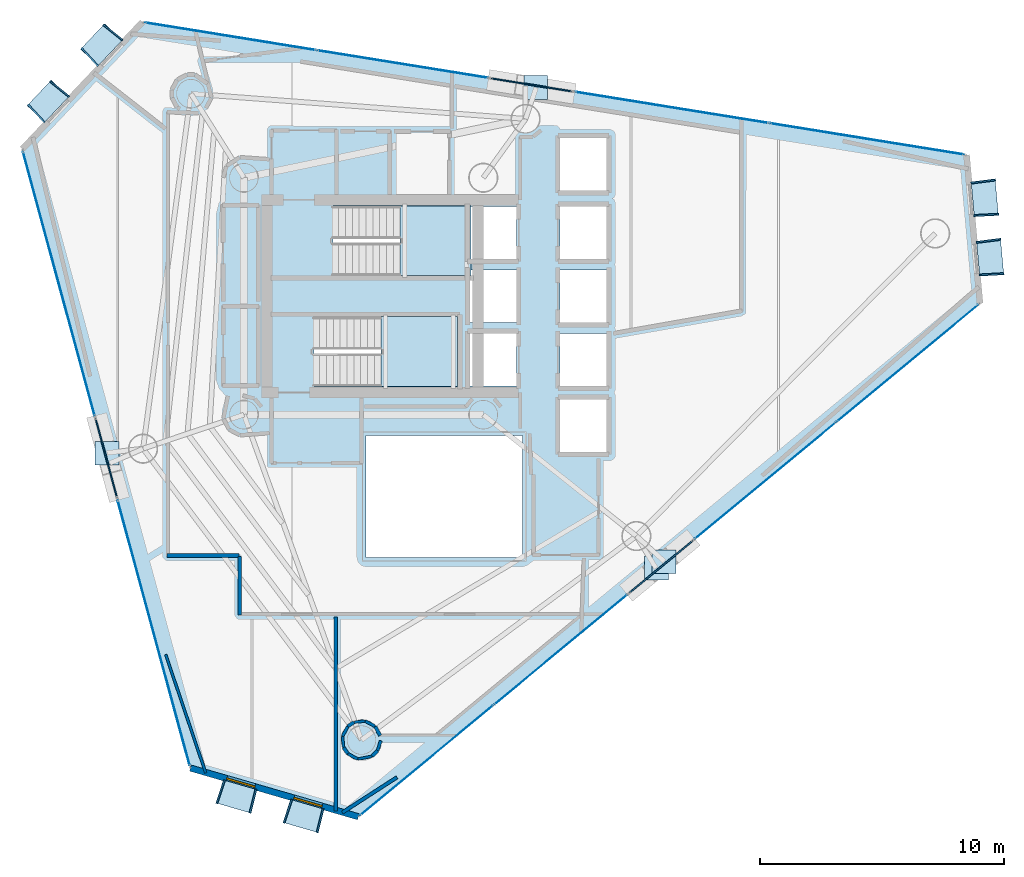
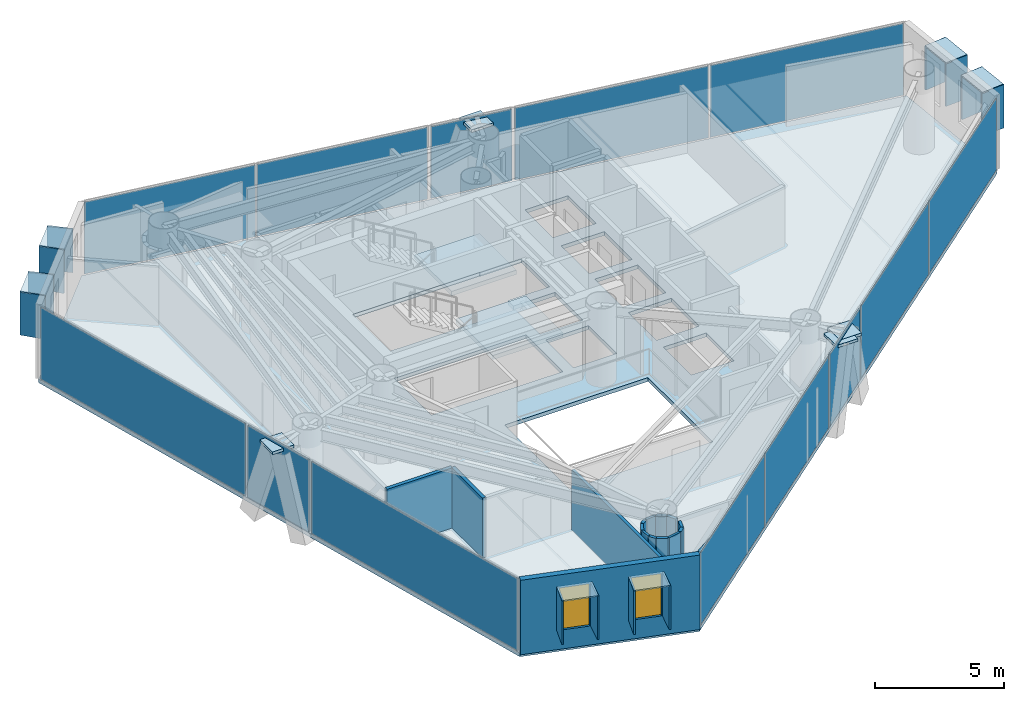
# One storey, part 15 of 21: 35 plates, 17 walls, 3 slabs, 2 windows, 2 openings, 11 elements without a shape of their own.
"""IFC4 building model written with IfcOpenShell, lengths in metres."""

from ifc_helpers import new_model, si_unit, direction, frame, frame_2d, origin, origin_2d, place, context, subcontext, project, spatial, polyline, rectangle, outline, extrude, material, layer, layer_set, type_object, element, fill, aggregate, save


model = new_model("IFC4")

# Units and contexts
model_context = context("Model", 3, precision=1e-05, world=origin(), true_north=direction((0.0, 1.0)))
body_context = subcontext(model_context, "Body", "Model", "MODEL_VIEW")
ifc_project = project(units=[si_unit("LENGTHUNIT", "METRE"), si_unit("AREAUNIT", "SQUARE_METRE"), si_unit("VOLUMEUNIT", "CUBIC_METRE"), si_unit("PLANEANGLEUNIT", "RADIAN"), si_unit("MASSUNIT", "GRAM", prefix="KILO")], contexts=[model_context])

# Site, building, storey
site_placement = place(None, origin())
site = spatial("IfcSite", under=ifc_project, at=site_placement, CompositionType="ELEMENT")
building_placement = place(site_placement, origin())
building = spatial("IfcBuilding", under=site, at=building_placement, Name="Qianvela Tower", CompositionType="ELEMENT")
storey_placement = place(building_placement, frame((0.0, 0.0, 211.39990234375)))
storey = spatial("IfcBuildingStorey", under=building, at=storey_placement, Name="L54", CompositionType="ELEMENT", Elevation=211.39990234375)

# Curtain wall, plate
ifc_material_1 = material(Name="Anodised Architectural Aluminium and Insulated Spandrel Panel", Category="aluminium")
ifc_layer_1 = layer(ifc_material_1, 0.179931640625)
ifc_layer_set_1 = layer_set([ifc_layer_1], Name="Anodised Architectural Aluminium and Insulated Spandrel Panel")
curtain_wall_type_1 = type_object("IfcCurtainWallType", Name="CW-BRACEBAY", PredefinedType="USERDEFINED", material=ifc_layer_set_1)
curtain_wall_1_placement = place(storey_placement, origin())
curtain_wall_1 = element("IfcCurtainWall", 1, at=curtain_wall_1_placement, inside=storey, type_object=curtain_wall_type_1, Name="L54 CW-BRACEBAY Curtain Wall 02B", ObjectType="CURTAIN_WALL_SYSTEM", PredefinedType="USERDEFINED")
ifc_material_2 = material(Name="Insulated Aluminium Spandrel Panel with Mineral-Wool Backpan", Category="aluminium")
ifc_layer_2 = layer(ifc_material_2, 0.06005859375)
ifc_layer_set_2 = layer_set([ifc_layer_2], Name="Insulated Aluminium Spandrel Panel with Mineral-Wool Backpan")
plate_type_1 = type_object("IfcPlateType", Name="CW-BRACEBAY-PNL", PredefinedType="CURTAIN_PANEL", material=ifc_layer_set_2)
plate_1_placement = place(storey_placement, frame((40.378173828125, 37.35107421875, 0.06494140625), z_axis=(0.0, 0.0, 1.0), x_axis=(-0.987265735176, 0.159079754044, 0.0)))
plate_1 = element("IfcPlate", 2, at=plate_1_placement, type_object=plate_type_1, Name="CW-9 panel 1.1", PredefinedType="CURTAIN_PANEL", context=body_context, shape_type="SweptSolid", body=[
    extrude(rectangle(XDim=3.35009765625, YDim=0.06005859375, at=origin_2d()), origin(), (0.0, 0.0, 1.0), 3.389892578125),
])
aggregate(curtain_wall_1, [plate_1])

curtain_wall_2_placement = place(storey_placement, origin())
curtain_wall_2 = element("IfcCurtainWall", 3, at=curtain_wall_2_placement, inside=storey, type_object=curtain_wall_type_1, Name="L54 CW-BRACEBAY Curtain Wall 04B", ObjectType="CURTAIN_WALL_SYSTEM", PredefinedType="USERDEFINED")
plate_2_placement = place(storey_placement, frame((22.96484375, 22.07470703125, 0.06494140625), z_axis=(0.0, 0.0, 1.0), x_axis=(0.262190658997, -0.965016092267, 0.0)))
plate_2 = element("IfcPlate", 4, at=plate_2_placement, type_object=plate_type_1, Name="CW-9 panel 1.1", PredefinedType="CURTAIN_PANEL", context=body_context, shape_type="SweptSolid", body=[
    extrude(rectangle(XDim=3.340087890625, YDim=0.06005859375, at=origin_2d()), origin(), (0.0, 0.0, 1.0), 3.389892578125),
])
aggregate(curtain_wall_2, [plate_2])

curtain_wall_3_placement = place(storey_placement, origin())
curtain_wall_3 = element("IfcCurtainWall", 5, at=curtain_wall_3_placement, inside=storey, type_object=curtain_wall_type_1, Name="L54 CW-BRACEBAY Curtain Wall 06B", ObjectType="CURTAIN_WALL_SYSTEM", PredefinedType="USERDEFINED")
plate_3_placement = place(storey_placement, frame((45.674072265625, 17.622802734375, 0.06494140625), z_axis=(0.0, 0.0, 1.0), x_axis=(0.771026160005, 0.63680347093, 0.0)))
plate_3 = element("IfcPlate", 6, at=plate_3_placement, type_object=plate_type_1, Name="CW-9 panel 1.1", PredefinedType="CURTAIN_PANEL", context=body_context, shape_type="SweptSolid", body=[
    extrude(rectangle(XDim=3.35009765625, YDim=0.06005859375, at=origin_2d()), origin(), (0.0, 0.0, 1.0), 3.389892578125),
])
aggregate(curtain_wall_3, [plate_3])

# Curtain wall, plates
ifc_material_3 = material(Name="Anodised Architectural Aluminium and Low-E Glass", Category="aluminium")
ifc_layer_3 = layer(ifc_material_3, 0.159912109375)
ifc_layer_set_3 = layer_set([ifc_layer_3], Name="Anodised Architectural Aluminium and Low-E Glass")
curtain_wall_type_2 = type_object("IfcCurtainWallType", Name="CW-COLIV-Z56", PredefinedType="USERDEFINED", material=ifc_layer_set_3)
curtain_wall_4_placement = place(storey_placement, origin())
curtain_wall_4 = element("IfcCurtainWall", 7, at=curtain_wall_4_placement, inside=storey, type_object=curtain_wall_type_2, Name="L54 CW-COLIV-Z56 Curtain Wall 02A", ObjectType="CURTAIN_WALL_SYSTEM", PredefinedType="USERDEFINED")
ifc_material_4 = material(Name="Double-Silver Low-E Insulated Glass", Category="glass")
ifc_layer_4 = layer(ifc_material_4, 0.028076171875)
ifc_layer_set_4 = layer_set([ifc_layer_4], Name="Double-Silver Low-E Insulated Glass")
plate_type_2 = type_object("IfcPlateType", Name="CW-COLIV-Z56-PNL", PredefinedType="CURTAIN_PANEL", material=ifc_layer_set_4)
plate_4_placement = place(storey_placement, frame((54.10498046875, 35.139404296875, 0.06005859375), z_axis=(0.0, 0.0, 1.0), x_axis=(-0.98726724305, 0.159070395739, 0.0)))
plate_4 = element("IfcPlate", 8, at=plate_4_placement, type_object=plate_type_2, Name="CW-5 panel 1.1", PredefinedType="CURTAIN_PANEL", context=body_context, shape_type="SweptSolid", body=[
    extrude(rectangle(XDim=8.0224609375, YDim=0.028076171875, at=origin_2d()), origin(), (0.0, 0.0, 1.0), 3.39990234375),
])
plate_5_placement = place(storey_placement, frame((46.120361328125, 36.42578125, 0.06005859375), z_axis=(0.0, 0.0, 1.0), x_axis=(-0.98726724305, 0.159070395739, 0.0)))
plate_5 = element("IfcPlate", 9, at=plate_5_placement, type_object=plate_type_2, Name="CW-5 panel 2.1", PredefinedType="CURTAIN_PANEL", context=body_context, shape_type="SweptSolid", body=[
    extrude(rectangle(XDim=8.0224609375, YDim=0.028076171875, at=origin_2d()), origin(), (0.0, 0.0, 1.0), 3.39990234375),
])
aggregate(curtain_wall_4, [plate_4, plate_5])

curtain_wall_5_placement = place(storey_placement, origin())
curtain_wall_5 = element("IfcCurtainWall", 10, at=curtain_wall_5_placement, inside=storey, type_object=curtain_wall_type_2, Name="L54 CW-COLIV-Z56 Curtain Wall 02C", ObjectType="CURTAIN_WALL_SYSTEM", PredefinedType="USERDEFINED")
plate_6_placement = place(storey_placement, frame((35.10302734375, 38.200927734375, 0.06005859375), z_axis=(0.0, 0.0, 1.0), x_axis=(-0.987267684825, 0.159067653846, 0.0)))
plate_6 = element("IfcPlate", 11, at=plate_6_placement, type_object=plate_type_2, Name="CW-5 panel 1.1", PredefinedType="CURTAIN_PANEL", context=body_context, shape_type="SweptSolid", body=[
    extrude(rectangle(XDim=7.076416015625, YDim=0.028076171875, at=origin_2d()), origin(), (0.0, 0.0, 1.0), 3.39990234375),
])
plate_7_placement = place(storey_placement, frame((28.052490234375, 39.3369140625, 0.06005859375), z_axis=(0.0, 0.0, 1.0), x_axis=(-0.987267684825, 0.159067653846, 0.0)))
plate_7 = element("IfcPlate", 12, at=plate_7_placement, type_object=plate_type_2, Name="CW-5 panel 2.1", PredefinedType="CURTAIN_PANEL", context=body_context, shape_type="SweptSolid", body=[
    extrude(rectangle(XDim=7.076416015625, YDim=0.028076171875, at=origin_2d()), origin(), (0.0, 0.0, 1.0), 3.39990234375),
])
aggregate(curtain_wall_5, [plate_6, plate_7])

# Curtain wall, plate
curtain_wall_6_placement = place(storey_placement, origin())
curtain_wall_6 = element("IfcCurtainWall", 13, at=curtain_wall_6_placement, inside=storey, type_object=curtain_wall_type_2, Name="L54 CW-COLIV-Z56 Curtain Wall 04A", ObjectType="CURTAIN_WALL_SYSTEM", PredefinedType="USERDEFINED")
plate_8_placement = place(storey_placement, frame((21.02587890625, 29.2109375, 0.06005859375), z_axis=(0.0, 0.0, 1.0), x_axis=(0.262192638655, -0.965015554401, 0.0)))
plate_8 = element("IfcPlate", 14, at=plate_8_placement, type_object=plate_type_2, Name="CW-5 panel 1.1", PredefinedType="CURTAIN_PANEL", context=body_context, shape_type="SweptSolid", body=[
    extrude(rectangle(XDim=11.18994140625, YDim=0.028076171875, at=origin_2d()), origin(), (0.0, 0.0, 1.0), 3.39990234375),
])
aggregate(curtain_wall_6, [plate_8])

curtain_wall_7_placement = place(storey_placement, origin())
curtain_wall_7 = element("IfcCurtainWall", 15, at=curtain_wall_7_placement, inside=storey, type_object=curtain_wall_type_2, Name="L54 CW-COLIV-Z56 Curtain Wall 04C", ObjectType="CURTAIN_WALL_SYSTEM", PredefinedType="USERDEFINED")
plate_9_placement = place(storey_placement, frame((24.90966796875, 14.916259765625, 0.06005859375), z_axis=(0.0, 0.0, 1.0), x_axis=(0.26219189761, -0.965015755741, 0.0)))
plate_9 = element("IfcPlate", 16, at=plate_9_placement, type_object=plate_type_2, Name="CW-5 panel 1.1", PredefinedType="CURTAIN_PANEL", context=body_context, shape_type="SweptSolid", body=[
    extrude(rectangle(XDim=11.23583984375, YDim=0.028076171875, at=origin_2d()), origin(), (0.0, 0.0, 1.0), 3.39990234375),
])
aggregate(curtain_wall_7, [plate_9])

# Curtain wall, plates
curtain_wall_8_placement = place(storey_placement, origin())
curtain_wall_8 = element("IfcCurtainWall", 17, at=curtain_wall_8_placement, inside=storey, type_object=curtain_wall_type_2, Name="L54 CW-COLIV-Z56 Curtain Wall 06A", ObjectType="CURTAIN_WALL_SYSTEM", PredefinedType="USERDEFINED")
plate_10_placement = place(storey_placement, frame((36.087158203125, 9.705078125, 0.06005859375), z_axis=(0.0, 0.0, 1.0), x_axis=(0.771032758689, 0.636795481319, 0.0)))
plate_10 = element("IfcPlate", 18, at=plate_10_placement, type_object=plate_type_2, Name="CW-5 panel 1.1", PredefinedType="CURTAIN_PANEL", context=body_context, shape_type="SweptSolid", body=[
    extrude(rectangle(XDim=7.04248046875, YDim=0.028076171875, at=origin_2d()), origin(), (0.0, 0.0, 1.0), 3.39990234375),
])
plate_11_placement = place(storey_placement, frame((41.5673828125, 14.23095703125, 0.06005859375), z_axis=(0.0, 0.0, 1.0), x_axis=(0.771032758689, 0.636795481319, 0.0)))
plate_11 = element("IfcPlate", 19, at=plate_11_placement, type_object=plate_type_2, Name="CW-5 panel 2.1", PredefinedType="CURTAIN_PANEL", context=body_context, shape_type="SweptSolid", body=[
    extrude(rectangle(XDim=7.04248046875, YDim=0.028076171875, at=origin_2d()), origin(), (0.0, 0.0, 1.0), 3.39990234375),
])
aggregate(curtain_wall_8, [plate_10, plate_11])

curtain_wall_9_placement = place(storey_placement, origin())
curtain_wall_9 = element("IfcCurtainWall", 20, at=curtain_wall_9_placement, inside=storey, type_object=curtain_wall_type_2, Name="L54 CW-COLIV-Z56 Curtain Wall 06C", ObjectType="CURTAIN_WALL_SYSTEM", PredefinedType="USERDEFINED")
plate_12_placement = place(storey_placement, frame((49.947021484375, 21.15185546875, 0.06005859375), z_axis=(0.0, 0.0, 1.0), x_axis=(0.771034636493, 0.636793207665, 0.0)))
plate_12 = element("IfcPlate", 21, at=plate_12_placement, type_object=plate_type_2, Name="CW-5 panel 1.1", PredefinedType="CURTAIN_PANEL", context=body_context, shape_type="SweptSolid", body=[
    extrude(rectangle(XDim=7.4736328125, YDim=0.028076171875, at=origin_2d()), origin(), (0.0, 0.0, 1.0), 3.39990234375),
])
plate_13_placement = place(storey_placement, frame((55.75927734375, 25.9521484375, 0.06005859375), z_axis=(0.0, 0.0, 1.0), x_axis=(0.771034636493, 0.636793207665, 0.0)))
plate_13 = element("IfcPlate", 22, at=plate_13_placement, type_object=plate_type_2, Name="CW-5 panel 2.1", PredefinedType="CURTAIN_PANEL", context=body_context, shape_type="SweptSolid", body=[
    extrude(rectangle(XDim=7.4736328125, YDim=0.028076171875, at=origin_2d()), origin(), (0.0, 0.0, 1.0), 3.39990234375),
])
aggregate(curtain_wall_9, [plate_12, plate_13])

# Plates
ifc_material_5 = material(Name="Steel Q420GJC", Category="steel")
ifc_layer_5 = layer(ifc_material_5, 0.1298828125)
ifc_layer_set_5 = layer_set([ifc_layer_5], Name="Steel Q420GJC")
plate_type_3 = type_object("IfcPlateType", Name="PT-ENDCAP-130", PredefinedType="USERDEFINED", material=ifc_layer_set_5)
for number, where, z_axis, x_axis, name in (
    (23, (40.542236328125, 37.243408203125, 3.210205078125), (0.0, 0.0, 1.0), (1.0, 0.0, 0.0), "L54 Hollow Section End Cap Plate B"),
    (24, (22.9951171875, 22.267578125, 3.210205078125), (0.0, 0.0, 1.0), (1.0, 0.0, 0.0), "L54 Hollow Section End Cap Plate B"),
    (25, (45.48779296875, 17.57275390625, 3.210205078125), (0.0, 0.0, 1.0), (1.0, 0.0, 0.0), "L54 Hollow Section End Cap Plate B"),
    (26, (45.799072265625, 17.829833984375, 3.21044921875), (0.0, 0.0, 1.0), (1.0, 0.0, 0.0), "L54 Hollow Section End Cap Plate B"),
):
    element("IfcPlate", number, at=place(storey_placement, frame(where, z_axis=z_axis, x_axis=x_axis)), inside=storey, type_object=plate_type_3, Name=name, ObjectType="END_CAP", PredefinedType="USERDEFINED", context=body_context, shape_type="SweptSolid", body=[
        extrude(rectangle(XDim=0.969970703125, YDim=0.969970703125, at=origin_2d()), origin(), (0.0, 0.0, 1.0), 0.1298828125),
    ])

# Slab
ifc_material_6 = material(Name="Concrete C40", Category="concrete")
ifc_layer_6 = layer(ifc_material_6, 0.179931640625)
ifc_layer_set_6 = layer_set([ifc_layer_6], Name="Concrete C40")
slab_type_1 = type_object("IfcSlabType", Name="SL-FLOOR-180", PredefinedType="FLOOR", material=ifc_layer_set_6)
slab_1_placement = place(storey_placement, frame((0.0, 0.0, -0.179931640625)))
element("IfcSlab", 27, at=slab_1_placement, inside=storey, type_object=slab_type_1, Name="L54 Composite Structural Floor Slab", PredefinedType="FLOOR", context=body_context, shape_type="SweptSolid", body=[
    extrude(outline(polyline([(58.729248046875, 28.405029296875), (58.1787109375, 34.48291015625), (24.44580078125, 39.918212890625), (19.52880859375, 34.72119140625), (26.412841796875, 9.3837890625), (33.283447265625, 7.389404296875), (58.729248046875, 28.405029296875)]), holes=[polyline([(40.0, 23.0), (33.60009765625, 23.0), (33.60009765625, 18.0), (40.0, 18.0), (40.0, 23.0)]), polyline([(39.760009765625, 27.179931640625), (37.840087890625, 27.179931640625), (37.840087890625, 25.02001953125), (39.760009765625, 25.02001953125), (39.760009765625, 27.179931640625)]), polyline([(37.35009765625, 27.860107421875), (31.469970703125, 27.860107421875), (31.469970703125, 25.0), (37.35009765625, 25.0), (37.35009765625, 27.860107421875)]), polyline([(37.840087890625, 27.6201171875), (39.760009765625, 27.6201171875), (39.760009765625, 29.780029296875), (37.89990234375, 29.780029296875), (37.89990234375, 30.219970703125), (39.760009765625, 30.219970703125), (39.760009765625, 32.3798828125), (37.89990234375, 32.3798828125), (37.89990234375, 32.39990234375), (32.25, 32.39990234375), (32.25, 29.5400390625), (37.840087890625, 29.5400390625), (37.840087890625, 27.6201171875)]), polyline([(43.4599609375, 22.320068359375), (43.4599609375, 24.47998046875), (41.5400390625, 24.47998046875), (41.5400390625, 22.320068359375), (43.4599609375, 22.320068359375)]), polyline([(43.4599609375, 25.02001953125), (43.4599609375, 27.179931640625), (41.5400390625, 27.179931640625), (41.5400390625, 25.02001953125), (43.4599609375, 25.02001953125)]), polyline([(43.4599609375, 29.780029296875), (41.5400390625, 29.780029296875), (41.5400390625, 27.6201171875), (43.4599609375, 27.6201171875), (43.4599609375, 29.780029296875)]), polyline([(43.4599609375, 30.219970703125), (43.4599609375, 32.3798828125), (41.5400390625, 32.3798828125), (41.5400390625, 30.219970703125), (43.4599609375, 30.219970703125)]), polyline([(43.4599609375, 33.02001953125), (43.4599609375, 35.179931640625), (41.5400390625, 35.179931640625), (41.5400390625, 33.02001953125), (43.4599609375, 33.02001953125)])]), origin(), (0.0, 0.0, 1.0), 0.179931640625),
])

# Stair, slab
ifc_material_7 = material(Name="Concrete C40", Category="concrete")
stair_type = type_object("IfcStairType", Name="ST-DOGLEG-1350-R168-N22", PredefinedType="HALF_TURN_STAIR", material=ifc_material_7)
stair_1_placement = place(storey_placement, origin())
stair_1 = element("IfcStair", 28, at=stair_1_placement, inside=storey, type_object=stair_type, Name="L54 Smoke-Proof Core Stair ST-1", PredefinedType="HALF_TURN_STAIR")
ifc_material_8 = material(Name="Concrete C40", Category="concrete")
ifc_layer_7 = layer(ifc_material_8, 0.199951171875)
ifc_layer_set_7 = layer_set([ifc_layer_7], Name="Concrete C40")
slab_type_2 = type_object("IfcSlabType", Name="SL-STAIR-LANDING-200", PredefinedType="LANDING", material=ifc_layer_set_7)
slab_2_placement = place(storey_placement, frame((0.0, 0.0, 1.650146484375)))
slab_2 = element("IfcSlab", 29, at=slab_2_placement, type_object=slab_type_2, Name="ST-1 landing 1", PredefinedType="LANDING", context=body_context, shape_type="SweptSolid", body=[
    extrude(outline(polyline([(35.0, 29.5400390625), (37.89990234375, 29.5400390625), (37.89990234375, 32.39990234375), (35.0, 32.39990234375), (35.0, 29.5400390625)])), origin(), (0.0, 0.0, 1.0), 0.199951171875),
])
aggregate(stair_1, [slab_2])

stair_2_placement = place(storey_placement, origin())
stair_2 = element("IfcStair", 30, at=stair_2_placement, inside=storey, type_object=stair_type, Name="L54 Smoke-Proof Core Stair ST-2", PredefinedType="HALF_TURN_STAIR")
slab_3_placement = place(storey_placement, frame((0.0, 0.0, 1.650146484375)))
slab_3 = element("IfcSlab", 31, at=slab_3_placement, type_object=slab_type_2, Name="ST-2 landing 1", PredefinedType="LANDING", context=body_context, shape_type="SweptSolid", body=[
    extrude(outline(polyline([(34.219970703125, 25.0), (37.35009765625, 25.0), (37.35009765625, 27.860107421875), (34.219970703125, 27.860107421875), (34.219970703125, 25.0)])), origin(), (0.0, 0.0, 1.0), 0.199951171875),
])
aggregate(stair_2, [slab_3])

# Plates
ifc_material_9 = material(Name="Vitrified Architectural Terracotta Panel", Category="masonry")
ifc_layer_8 = layer(ifc_material_9, 0.06005859375)
ifc_layer_set_8 = layer_set([ifc_layer_8], Name="Vitrified Architectural Terracotta Panel")
plate_type_4 = type_object("IfcPlateType", Name="TERRACOTTA-SUNSHADE-HOOD-FOLD-A", PredefinedType="USERDEFINED", material=ifc_layer_set_8)
for number, where, z_axis, x_axis, name in (
    (32, (22.765625, 38.993408203125, 2.91015625), (0.0, 0.0, 1.0), (-0.687259954683, -0.72641156013, 0.0), "L54 Terracotta Sunshade Hood FOLD-A"),
    (33, (20.578857421875, 36.68212890625, 2.91015625), (0.0, 0.0, 1.0), (-0.687259954683, -0.72641156013, 0.0), "L54 Terracotta Sunshade Hood FOLD-A"),
):
    element("IfcPlate", number, at=place(storey_placement, frame(where, z_axis=z_axis, x_axis=x_axis)), inside=storey, type_object=plate_type_4, Name=name, ObjectType="SUNSHADE", PredefinedType="USERDEFINED", context=body_context, shape_type="SweptSolid", body=[
        extrude(rectangle(XDim=1.43994140625, YDim=0.989990234375, at=origin_2d()), origin(), (0.0, 0.0, 1.0), 0.06005859375),
    ])
ifc_material_10 = material(Name="Vitrified Architectural Terracotta Panel", Category="masonry")
ifc_layer_9 = layer(ifc_material_10, 0.070068359375)
ifc_layer_set_9 = layer_set([ifc_layer_9], Name="Vitrified Architectural Terracotta Panel")
plate_type_5 = type_object("IfcPlateType", Name="TERRACOTTA-SUNSHADE-HOOD-FOLD-C", PredefinedType="USERDEFINED", material=ifc_layer_set_9)
for number, where, z_axis, x_axis, name in (
    (34, (59.146728515625, 30.281005859375, 2.91015625), (0.0, 0.0, 1.0), (-0.090220631813, 0.995921802952, 0.0), "L54 Terracotta Sunshade Hood FOLD-C"),
    (35, (58.926513671875, 32.71240234375, 2.91015625), (0.0, 0.0, 1.0), (-0.090220631813, 0.995921802952, 0.0), "L54 Terracotta Sunshade Hood FOLD-C"),
    (36, (28.310791015625, 8.223876953125, 2.91015625), (0.0, 0.0, 1.0), (0.960357935129, -0.278769862854, 0.0), "L54 Terracotta Sunshade Hood FOLD-C"),
    (37, (31.05908203125, 7.426025390625, 2.91015625), (0.0, 0.0, 1.0), (0.960357935129, -0.278769862854, 0.0), "L54 Terracotta Sunshade Hood FOLD-C"),
):
    element("IfcPlate", number, at=place(storey_placement, frame(where, z_axis=z_axis, x_axis=x_axis)), inside=storey, type_object=plate_type_5, Name=name, ObjectType="SUNSHADE", PredefinedType="USERDEFINED", context=body_context, shape_type="SweptSolid", body=[
        extrude(rectangle(XDim=1.43994140625, YDim=0.989990234375, at=origin_2d()), origin(), (0.0, 0.0, 1.0), 0.06005859375),
    ])
ifc_material_11 = material(Name="Vitrified Architectural Terracotta Side Fin Panel", Category="masonry")
ifc_layer_10 = layer(ifc_material_11, 0.06494140625)
ifc_layer_set_10 = layer_set([ifc_layer_10], Name="Vitrified Architectural Terracotta Side Fin Panel")
plate_type_6 = type_object("IfcPlateType", Name="TERRACOTTA-SUNSHADE-STRUT-FOLD-A", PredefinedType="USERDEFINED", material=ifc_layer_set_10)
for number, where, z_axis, x_axis, name in (
    (38, (23.23974609375, 39.49462890625, 0.900146484375), (0.0, 0.0, 1.0), (-0.634913915053, -0.772582889063, 0.0), "L54 Terracotta Sunshade Side Fin HL FOLD-A"),
    (39, (22.29150390625, 38.4921875, 0.900146484375), (0.0, 0.0, 1.0), (-0.736257732896, -0.676701227094, 0.0), "L54 Terracotta Sunshade Side Fin HR FOLD-A"),
    (40, (21.052978515625, 37.18359375, 0.900146484375), (0.0, 0.0, 1.0), (-0.634913915053, -0.772582889063, 0.0), "L54 Terracotta Sunshade Side Fin HL FOLD-A"),
    (41, (20.104736328125, 36.180908203125, 0.900146484375), (0.0, 0.0, 1.0), (-0.736257732896, -0.676701227094, 0.0), "L54 Terracotta Sunshade Side Fin HR FOLD-A"),
):
    element("IfcPlate", number, at=place(storey_placement, frame(where, z_axis=z_axis, x_axis=x_axis)), inside=storey, type_object=plate_type_6, Name=name, ObjectType="SUNSHADE", PredefinedType="USERDEFINED", context=body_context, shape_type="SweptSolid", body=[
        extrude(rectangle(XDim=0.06494140625, YDim=1.010009765625, at=origin_2d()), origin(), (0.0, 0.0, 1.0), 2.06005859375),
    ])
ifc_material_12 = material(Name="Vitrified Architectural Terracotta Side Fin Panel", Category="masonry")
ifc_layer_11 = layer(ifc_material_12, 0.074951171875)
ifc_layer_set_11 = layer_set([ifc_layer_11], Name="Vitrified Architectural Terracotta Side Fin Panel")
plate_type_7 = type_object("IfcPlateType", Name="TERRACOTTA-SUNSHADE-STRUT-FOLD-C", PredefinedType="USERDEFINED", material=ifc_layer_set_11)
for number, where, z_axis, x_axis, name in (
    (42, (59.208984375, 29.593994140625, 0.900146484375), (0.0, 0.0, 1.0), (-0.055408502164, 0.998463768941, 0.0), "L54 Terracotta Sunshade Side Fin HL FOLD-C"),
    (43, (59.08447265625, 30.96826171875, 0.900146484375), (0.0, 0.0, 1.0), (-0.12492284152, 0.992166459656, 0.0), "L54 Terracotta Sunshade Side Fin HR FOLD-C"),
    (44, (58.98876953125, 32.025146484375, 0.900146484375), (0.0, 0.0, 1.0), (-0.055408502164, 0.998463768941, 0.0), "L54 Terracotta Sunshade Side Fin HL FOLD-C"),
    (45, (58.8642578125, 33.3994140625, 0.900146484375), (0.0, 0.0, 1.0), (-0.12492284152, 0.992166459656, 0.0), "L54 Terracotta Sunshade Side Fin HR FOLD-C"),
    (46, (27.648193359375, 8.416015625, 0.900146484375), (0.0, 0.0, 1.0), (0.950043983113, -0.312116052376, 0.0), "L54 Terracotta Sunshade Side Fin HL FOLD-C"),
    (47, (28.9736328125, 8.031494140625, 0.900146484375), (0.0, 0.0, 1.0), (0.969501838932, -0.245084035196, 0.0), "L54 Terracotta Sunshade Side Fin HR FOLD-C"),
    (48, (30.396484375, 7.618408203125, 0.900146484375), (0.0, 0.0, 1.0), (0.950043983113, -0.312116052376, 0.0), "L54 Terracotta Sunshade Side Fin HL FOLD-C"),
    (49, (31.721923828125, 7.233642578125, 0.900146484375), (0.0, 0.0, 1.0), (0.969501838932, -0.245084035196, 0.0), "L54 Terracotta Sunshade Side Fin HR FOLD-C"),
):
    element("IfcPlate", number, at=place(storey_placement, frame(where, z_axis=z_axis, x_axis=x_axis)), inside=storey, type_object=plate_type_7, Name=name, ObjectType="SUNSHADE", PredefinedType="USERDEFINED", context=body_context, shape_type="SweptSolid", body=[
        extrude(rectangle(XDim=0.074951171875, YDim=1.010009765625, at=origin_2d()), origin(), (0.0, 0.0, 1.0), 2.06005859375),
    ])

# Wall, openings, windows
ifc_material_13 = material(Name="Terracotta Cladding on Concrete C40", Category="masonry")
ifc_layer_12 = layer(ifc_material_13, 0.260009765625)
ifc_layer_set_12 = layer_set([ifc_layer_12], Name="Terracotta Cladding on Concrete C40")
wall_type_1 = type_object("IfcWallType", Name="TERRACOTTA-WALL-260", PredefinedType="SOLIDWALL", material=ifc_layer_set_12)
wall_1_placement = place(storey_placement, frame((26.412841796875, 9.3837890625, 0.0), z_axis=(0.0, 0.0, 1.0), x_axis=(0.960357721162, -0.278770599964, 0.0)))
wall_1 = element("IfcWall", 50, at=wall_1_placement, inside=storey, type_object=wall_type_1, Name="L54 Terracotta Chamfer Facet Wall 5", PredefinedType="SOLIDWALL", context=body_context, shape_type="SweptSolid", body=[
    extrude(rectangle(XDim=7.154296875, YDim=0.260009765625, at=frame_2d((3.5771484375, 0.0))), origin(), (0.0, 0.0, 1.0), 3.52001953125),
])
opening_1_placement = place(wall_1_placement, frame((1.54638671875, 0.0, 0.89990234375)))
opening_1 = element("IfcOpeningElement", 51, at=opening_1_placement, cuts=wall_1, Name="Opening W-03", PredefinedType="OPENING", context=body_context, shape_type="SweptSolid", body=[
    extrude(rectangle(XDim=1.199951171875, YDim=2.0, at=frame_2d((0.60009765625, 1.0))), frame((0.0, 0.139892578125, 0.0), z_axis=(0.0, -1.0, 0.0), x_axis=(1.0, 0.0, 0.0)), (0.0, 0.0, 1.0), 0.280029296875),
])
opening_2_placement = place(wall_1_placement, frame((4.407958984375, 0.0, 0.89990234375)))
opening_2 = element("IfcOpeningElement", 52, at=opening_2_placement, cuts=wall_1, Name="Opening W-03", PredefinedType="OPENING", context=body_context, shape_type="SweptSolid", body=[
    extrude(rectangle(XDim=1.199951171875, YDim=2.0, at=frame_2d((0.60009765625, 1.0))), frame((0.0, 0.139892578125, 0.0), z_axis=(0.0, -1.0, 0.0), x_axis=(1.0, 0.0, 0.0)), (0.0, 0.0, 1.0), 0.280029296875),
])
ifc_material_14 = material(Name="Thermally Broken Aluminium and Low-E Glass", Category="aluminium")
window_type = type_object("IfcWindowType", Name="WIN-TC-1200x2000", PartitioningType="SINGLE_PANEL", PredefinedType="WINDOW", material=ifc_material_14)
window_1_placement = place(opening_1_placement, origin())
window_1 = element("IfcWindow", 53, at=window_1_placement, inside=storey, type_object=window_type, Name="L54 Chamfer Facet Window 5.1", OverallHeight=2.0, OverallWidth=1.199951171875, PartitioningType="SINGLE_PANEL", PredefinedType="WINDOW", context=body_context, shape_type="SweptSolid", body=[
    extrude(rectangle(XDim=1.199951171875, YDim=2.0, at=frame_2d((0.60009765625, 1.0))), frame((0.0, 0.030029296875, 0.0), z_axis=(0.0, -1.0, 0.0), x_axis=(1.0, 0.0, 0.0)), (0.0, 0.0, 1.0), 0.06005859375),
])
fill(opening_1, window_1)
window_2_placement = place(opening_2_placement, origin())
window_2 = element("IfcWindow", 54, at=window_2_placement, inside=storey, type_object=window_type, Name="L54 Chamfer Facet Window 5.2", OverallHeight=2.0, OverallWidth=1.199951171875, PartitioningType="SINGLE_PANEL", PredefinedType="WINDOW", context=body_context, shape_type="SweptSolid", body=[
    extrude(rectangle(XDim=1.199951171875, YDim=2.0, at=frame_2d((0.60009765625, 1.0))), frame((0.0, 0.030029296875, 0.0), z_axis=(0.0, -1.0, 0.0), x_axis=(1.0, 0.0, 0.0)), (0.0, 0.0, 1.0), 0.06005859375),
])
fill(opening_2, window_2)

# Walls
ifc_material_15 = material(Name="Fire-Rated Gypsum and Concrete Block", Category="concrete")
ifc_layer_13 = layer(ifc_material_15, 0.159912109375)
ifc_layer_set_13 = layer_set([ifc_layer_13], Name="Fire-Rated Gypsum and Concrete Block")
wall_type_2 = type_object("IfcWallType", Name="WT-CORR-160", PredefinedType="PARTITIONING", material=ifc_layer_set_13)
wall_2_placement = place(storey_placement, frame((28.430908203125, 15.64990234375, 0.0), z_axis=(0.0, 0.0, 1.0), x_axis=(0.0, 1.0, 0.0)))
element("IfcWall", 55, at=wall_2_placement, inside=storey, type_object=wall_type_2, Name="L54 Partition 75", PredefinedType="PARTITIONING", context=body_context, shape_type="SweptSolid", body=[
    extrude(rectangle(XDim=2.400146484375, YDim=0.159912109375, at=frame_2d((1.2001953125, 0.0))), origin(), (0.0, 0.0, 1.0), 2.840087890625),
])
wall_3_placement = place(storey_placement, frame((28.39990234375, 18.0810546875, 0.0), z_axis=(0.0, 0.0, 1.0), x_axis=(-1.0, 0.0, 0.0)))
element("IfcWall", 56, at=wall_3_placement, inside=storey, type_object=wall_type_2, Name="L54 Partition 76", PredefinedType="PARTITIONING", context=body_context, shape_type="SweptSolid", body=[
    extrude(rectangle(XDim=2.949951171875, YDim=0.159912109375, at=frame_2d((1.47509765625, 0.0))), origin(), (0.0, 0.0, 1.0), 2.840087890625),
])
ifc_material_16 = material(Name="Lightweight Gypsum Room Partition")
ifc_layer_14 = layer(ifc_material_16, 0.10498046875)
ifc_layer_set_14 = layer_set([ifc_layer_14], Name="Lightweight Gypsum Room Partition")
wall_type_3 = type_object("IfcWallType", Name="WT-PART-105", PredefinedType="PARTITIONING", material=ifc_layer_set_14)
wall_4_placement = place(storey_placement, frame((27.037841796875, 9.184814453125, 0.0), z_axis=(0.0, 0.0, 1.0), x_axis=(-0.320360444682, 0.947295722297, 0.0)))
element("IfcWall", 57, at=wall_4_placement, inside=storey, type_object=wall_type_3, Name="L54 Partition 85 seg 1", PredefinedType="PARTITIONING", context=body_context, shape_type="SweptSolid", body=[
    extrude(rectangle(XDim=5.1181640625, YDim=0.10498046875, at=frame_2d((2.55908203125, 0.0))), origin(), (0.0, 0.0, 1.0), 2.840087890625),
])
wall_5_placement = place(storey_placement, frame((33.55810546875, 11.30712890625, 0.0), z_axis=(0.0, 0.0, 1.0), x_axis=(-0.995189452067, -0.097969150732, 0.0)))
element("IfcWall", 58, at=wall_5_placement, inside=storey, type_object=wall_type_3, Name="L54 Partition 91", PredefinedType="PARTITIONING", context=body_context, shape_type="SweptSolid", body=[
    extrude(rectangle(XDim=0.441162109375, YDim=0.10498046875, at=frame_2d((0.220703125, 0.0))), origin(), (0.0, 0.0, 1.0), 2.840087890625),
])
wall_6_placement = place(storey_placement, frame((32.63671875, 10.67626953125, 0.0), z_axis=(0.0, 0.0, 1.0), x_axis=(0.097915215421, -0.995194760129, 0.0)))
element("IfcWall", 59, at=wall_6_placement, inside=storey, type_object=wall_type_3, Name="L54 Partition 94", PredefinedType="PARTITIONING", context=body_context, shape_type="SweptSolid", body=[
    extrude(rectangle(XDim=0.44140625, YDim=0.10498046875, at=frame_2d((0.220703125, 0.0))), origin(), (0.0, 0.0, 1.0), 2.840087890625),
])
wall_7_placement = place(storey_placement, frame((33.270751953125, 9.755126953125, 0.0), z_axis=(0.0, 0.0, 1.0), x_axis=(0.980773892286, 0.195147565217, 0.0)))
element("IfcWall", 60, at=wall_7_placement, inside=storey, type_object=wall_type_3, Name="L54 Partition 97", PredefinedType="PARTITIONING", context=body_context, shape_type="SweptSolid", body=[
    extrude(rectangle(XDim=0.581787109375, YDim=0.10498046875, at=frame_2d((0.291015625, 0.0))), origin(), (0.0, 0.0, 1.0), 2.840087890625),
])
ifc_material_17 = material(Name="Insulated Gypsum Stud Partition")
ifc_layer_15 = layer(ifc_material_17, 0.1201171875)
ifc_layer_set_15 = layer_set([ifc_layer_15], Name="Insulated Gypsum Stud Partition")
wall_type_4 = type_object("IfcWallType", Name="WT-PART-120", PredefinedType="PARTITIONING", material=ifc_layer_set_15)
for number, where, z_axis, x_axis, name in (
    (61, (33.965087890625, 11.095703125, 0.0), (0.0, 0.0, 1.0), (-0.881923737177, 0.471392110461, 0.0), "L54 Partition 90"),
    (62, (32.848388671875, 11.0830078125, 0.0), (0.0, 0.0, 1.0), (-0.471392110461, -0.881923737177, 0.0), "L54 Partition 93"),
    (63, (32.861083984375, 9.96630859375, 0.0), (0.0, 0.0, 1.0), (0.881800703138, -0.471622221641, 0.0), "L54 Partition 96"),
):
    element("IfcWall", number, at=place(storey_placement, frame(where, z_axis=z_axis, x_axis=x_axis)), inside=storey, type_object=wall_type_4, Name=name, PredefinedType="PARTITIONING", context=body_context, shape_type="SweptSolid", body=[
        extrude(rectangle(XDim=0.441162109375, YDim=0.1201171875, at=frame_2d((0.220703125, 0.0))), origin(), (0.0, 0.0, 1.0), 2.840087890625),
    ])
wall_8_placement = place(storey_placement, frame((34.074462890625, 10.099609375, 0.0), z_axis=(0.0, 0.0, 1.0), x_axis=(0.296453112939, 0.955047408158, 0.0)))
element("IfcWall", 64, at=wall_8_placement, inside=storey, type_object=wall_type_4, Name="L54 Partition 99", PredefinedType="PARTITIONING", context=body_context, shape_type="SweptSolid", body=[
    extrude(rectangle(XDim=0.427490234375, YDim=0.1201171875, at=frame_2d((0.2138671875, 0.0))), origin(), (0.0, 0.0, 1.0), 2.840087890625),
])
ifc_material_18 = material(Name="Acoustic Double Gypsum Stud Partition")
ifc_layer_16 = layer(ifc_material_18, 0.139892578125)
ifc_layer_set_16 = layer_set([ifc_layer_16], Name="Acoustic Double Gypsum Stud Partition")
wall_type_5 = type_object("IfcWallType", Name="WT-ROOM-140", PredefinedType="PARTITIONING", material=ifc_layer_set_16)
wall_9_placement = place(storey_placement, frame((32.3662109375, 15.571044921875, 0.0), z_axis=(0.0, 0.0, 1.0), x_axis=(0.0, -1.0, 0.0)))
element("IfcWall", 65, at=wall_9_placement, inside=storey, type_object=wall_type_5, Name="L54 Partition 83", PredefinedType="PARTITIONING", context=body_context, shape_type="SweptSolid", body=[
    extrude(rectangle(XDim=7.935302734375, YDim=0.139892578125, at=frame_2d((3.9677734375, 0.0))), origin(), (0.0, 0.0, 1.0), 2.840087890625),
])
wall_10_placement = place(storey_placement, frame((34.18017578125, 10.7119140625, 0.0), z_axis=(0.0, 0.0, 1.0), x_axis=(-0.47901386463, 0.877807335064, 0.0)))
element("IfcWall", 66, at=wall_10_placement, inside=storey, type_object=wall_type_5, Name="L54 Partition 89", PredefinedType="PARTITIONING", context=body_context, shape_type="SweptSolid", body=[
    extrude(rectangle(XDim=0.423095703125, YDim=0.139892578125, at=frame_2d((0.21142578125, 0.0))), origin(), (0.0, 0.0, 1.0), 2.840087890625),
])
wall_11_placement = place(storey_placement, frame((33.10498046875, 11.2587890625, 0.0), z_axis=(0.0, 0.0, 1.0), x_axis=(-0.831796804072, -0.55508024351, 0.0)))
element("IfcWall", 67, at=wall_11_placement, inside=storey, type_object=wall_type_5, Name="L54 Partition 92", PredefinedType="PARTITIONING", context=body_context, shape_type="SweptSolid", body=[
    extrude(rectangle(XDim=0.29638671875, YDim=0.139892578125, at=frame_2d((0.148193359375, 0.0))), origin(), (0.0, 0.0, 1.0), 2.840087890625),
])
for number, where, z_axis, x_axis, name in (
    (68, (32.68505859375, 10.222900390625, 0.0), (0.0, 0.0, 1.0), (0.555649663283, -0.831416533209, 0.0), "L54 Partition 95"),
    (69, (33.857177734375, 9.877197265625, 0.0), (0.0, 0.0, 1.0), (0.707106781187, 0.707106781187, 0.0), "L54 Partition 98"),
):
    element("IfcWall", number, at=place(storey_placement, frame(where, z_axis=z_axis, x_axis=x_axis)), inside=storey, type_object=wall_type_5, Name=name, PredefinedType="PARTITIONING", context=body_context, shape_type="SweptSolid", body=[
        extrude(rectangle(XDim=0.296630859375, YDim=0.139892578125, at=frame_2d((0.1484375, 0.0))), origin(), (0.0, 0.0, 1.0), 2.840087890625),
    ])
wall_12_placement = place(storey_placement, frame((34.865234375, 9.007080078125, 0.0), z_axis=(0.0, 0.0, 1.0), x_axis=(-0.840125531088, -0.542392009541, 0.0)))
element("IfcWall", 70, at=wall_12_placement, inside=storey, type_object=wall_type_5, Name="L54 Partition 101 seg 1", PredefinedType="PARTITIONING", context=body_context, shape_type="SweptSolid", body=[
    extrude(rectangle(XDim=2.663330078125, YDim=0.139892578125, at=frame_2d((1.33154296875, 0.0))), origin(), (0.0, 0.0, 1.0), 2.840087890625),
])

save(model, "model.ifc")
